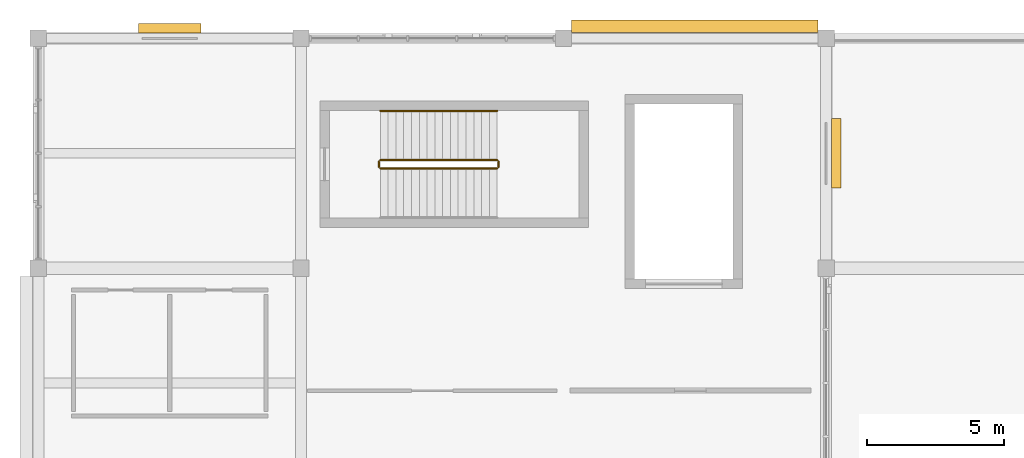
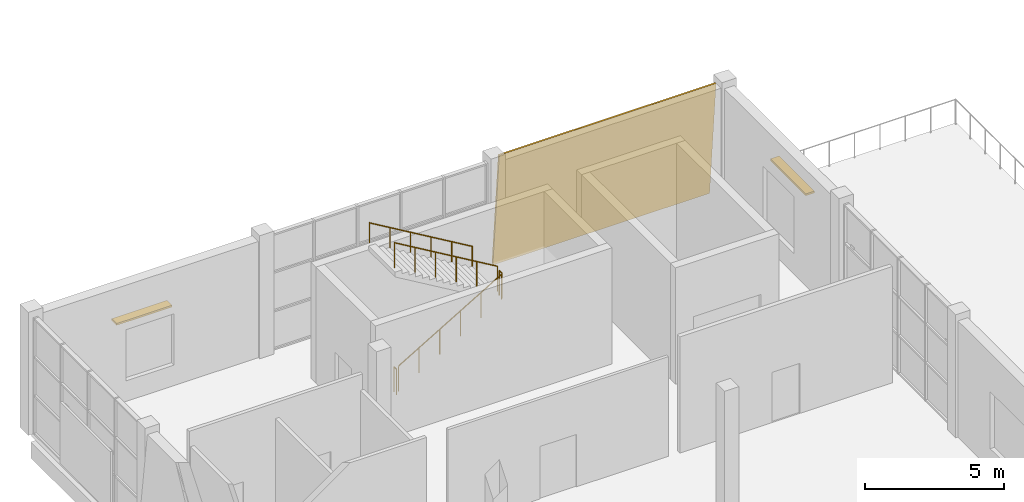
# One storey, part 62 of 72: 5 railings, 2 shading devices, 1 covering.
"""IFC4 building model written with IfcOpenShell, lengths in metres."""

from ifc_helpers import new_model, si_unit, direction, frame, origin, origin_2d, place, context, subcontext, project, spatial, polyline, rectangle, circle, outline, extrude, material, layer, layer_set, type_object, element, save


model = new_model("IFC4")

# Units and contexts
model_context = context("Model", 3, precision=1e-05, world=origin(), true_north=direction((0.0, 1.0)))
body_context = subcontext(model_context, "Body", "Model", "MODEL_VIEW")
ifc_project = project(units=[si_unit("LENGTHUNIT", "METRE"), si_unit("AREAUNIT", "SQUARE_METRE"), si_unit("VOLUMEUNIT", "CUBIC_METRE"), si_unit("PLANEANGLEUNIT", "RADIAN"), si_unit("MASSUNIT", "GRAM", prefix="KILO")], contexts=[model_context])

# Site, building, storey
site_placement = place(None, origin())
site = spatial("IfcSite", under=ifc_project, at=site_placement, CompositionType="ELEMENT")
building_placement = place(site_placement, origin())
building = spatial("IfcBuilding", under=site, at=building_placement, Name="Shalvenor Court Art Gallery", CompositionType="ELEMENT")
storey_placement = place(building_placement, frame((0.0, 0.0, 11.39990234375)))
storey = spatial("IfcBuildingStorey", under=building, at=storey_placement, Name="L02", CompositionType="ELEMENT", Elevation=11.39990234375)

# Covering
ifc_material_1 = material(Name="Honed Jerusalem limestone cladding", Category="masonry")
ifc_layer = layer(ifc_material_1, 0.06494140625, Name="Honed Jerusalem limestone cladding")
ifc_layer_set = layer_set([ifc_layer], Name="Honed Jerusalem limestone cladding")
covering_type = type_object("IfcCoveringType", Name="CLD-02", PredefinedType="CLADDING", material=ifc_layer_set)
covering_placement = place(storey_placement, frame((28.5, 123.07421875, 0.0), z_axis=(0.0, 0.0, 1.0), x_axis=(-1.0, 0.0, 0.0)))
element("IfcCovering", 1, at=covering_placement, inside=storey, type_object=covering_type, Name="L02 V5 Tapered Limestone Cladding 106", PredefinedType="CLADDING", context=body_context, shape_type="SweptSolid", body=[
    extrude(outline(polyline([(0.0, 0.0), (9.0, 0.0), (9.0, 5.12109375), (0.0, 5.12109375), (0.0, 0.0)])), frame((0.0, 0.0, 0.0), z_axis=(0.0, -0.995884398616, 0.090632580198), x_axis=(1.0, 0.0, 0.0)), (0.0, 0.090632580198, -0.995884398616), 0.080322265625),
])

# Railings
ifc_material_2 = material(Name="Painted steel post-and-rail guard", Category="steel")
railing_type_1 = type_object("IfcRailingType", Name="GR-02", PredefinedType="GUARDRAIL", material=ifc_material_2)
railing_1_placement = place(storey_placement, frame((12.5, 117.64990234375, 0.1689453125)))
element("IfcRailing", 2, at=railing_1_placement, inside=storey, type_object=railing_type_1, Name="L02 ST-06 Stair Guard 1", PredefinedType="GUARDRAIL", context=body_context, shape_type="SweptSolid", body=[
    extrude(circle(Radius=0.02392578125, at=origin_2d()), frame((0.0, 0.0, 1.09619140625), z_axis=(0.860470286479, 0.0, 0.509500624227), x_axis=(0.0, 1.0, 0.0)), (0.0, 0.0, 1.0), 4.968017578125),
    extrude(circle(Radius=0.02099609375, at=origin_2d()), origin(), (0.0, 0.0, 1.0), 1.072021484375),
    extrude(circle(Radius=0.02099609375, at=origin_2d()), frame((0.85498046875, 0.0, 0.50634765625)), (0.0, 0.0, 1.0), 1.072021484375),
    extrude(circle(Radius=0.02099609375, at=origin_2d()), frame((1.7099609375, 0.0, 1.012451171875)), (0.0, 0.0, 1.0), 1.072021484375),
    extrude(circle(Radius=0.02099609375, at=origin_2d()), frame((2.56494140625, 0.0, 1.518798828125)), (0.0, 0.0, 1.0), 1.072021484375),
    extrude(circle(Radius=0.02099609375, at=origin_2d()), frame((3.419921875, 0.0, 2.02490234375)), (0.0, 0.0, 1.0), 1.072021484375),
    extrude(circle(Radius=0.02099609375, at=origin_2d()), frame((4.27490234375, 0.0, 2.53125)), (0.0, 0.0, 1.0), 1.072021484375),
])
railing_2_placement = place(storey_placement, frame((16.824951171875, 117.699951171875, 2.7001953125)))
element("IfcRailing", 3, at=railing_2_placement, inside=storey, type_object=railing_type_1, Name="L02 ST-06 Stair Guard 2", PredefinedType="GUARDRAIL", context=body_context, shape_type="SweptSolid", body=[
    extrude(circle(Radius=0.02392578125, at=origin_2d()), frame((0.0, 0.0, 1.09619140625), z_axis=(0.0, 1.0, 0.0), x_axis=(-1.0, 0.0, 0.0)), (0.0, 0.0, 1.0), 0.199951171875),
    extrude(circle(Radius=0.02099609375, at=origin_2d()), origin(), (0.0, 0.0, 1.0), 1.072021484375),
    extrude(circle(Radius=0.02099609375, at=origin_2d()), frame((0.0, 0.199951171875, 0.0)), (0.0, 0.0, 1.0), 1.072021484375),
])
railing_3_placement = place(storey_placement, frame((16.77490234375, 117.949951171875, 2.868896484375)))
element("IfcRailing", 4, at=railing_3_placement, inside=storey, type_object=railing_type_1, Name="L02 ST-06 Stair Guard 3", PredefinedType="GUARDRAIL", context=body_context, shape_type="SweptSolid", body=[
    extrude(circle(Radius=0.02392578125, at=origin_2d()), frame((0.0, 0.0, 1.09619140625), z_axis=(-0.860470286479, 0.0, 0.509500624227), x_axis=(0.0, -1.0, 0.0)), (0.0, 0.0, 1.0), 4.968017578125),
    extrude(circle(Radius=0.02099609375, at=origin_2d()), origin(), (0.0, 0.0, 1.0), 1.072021484375),
    extrude(circle(Radius=0.02099609375, at=origin_2d()), frame((-0.85498046875, 0.0, 0.50634765625)), (0.0, 0.0, 1.0), 1.072021484375),
    extrude(circle(Radius=0.02099609375, at=origin_2d()), frame((-1.7099609375, 0.0, 1.012451171875)), (0.0, 0.0, 1.0), 1.072021484375),
    extrude(circle(Radius=0.02099609375, at=origin_2d()), frame((-2.56494140625, 0.0, 1.518798828125)), (0.0, 0.0, 1.0), 1.072021484375),
    extrude(circle(Radius=0.02099609375, at=origin_2d()), frame((-3.419921875, 0.0, 2.02490234375)), (0.0, 0.0, 1.0), 1.072021484375),
    extrude(circle(Radius=0.02099609375, at=origin_2d()), frame((-4.27490234375, 0.0, 2.53125)), (0.0, 0.0, 1.0), 1.072021484375),
])
railing_4_placement = place(storey_placement, frame((12.449951171875, 117.699951171875, 0.0)))
element("IfcRailing", 5, at=railing_4_placement, inside=storey, type_object=railing_type_1, Name="L02 ST-06 Stair Guard 4", PredefinedType="GUARDRAIL", context=body_context, shape_type="SweptSolid", body=[
    extrude(circle(Radius=0.02392578125, at=origin_2d()), frame((0.0, 0.0, 1.09619140625), z_axis=(0.0, 1.0, 0.0), x_axis=(-1.0, 0.0, 0.0)), (0.0, 0.0, 1.0), 0.199951171875),
    extrude(circle(Radius=0.02099609375, at=origin_2d()), origin(), (0.0, 0.0, 1.0), 1.072021484375),
    extrude(circle(Radius=0.02099609375, at=origin_2d()), frame((0.0, 0.199951171875, 0.0)), (0.0, 0.0, 1.0), 1.072021484375),
])
ifc_material_3 = material(Name="Brushed stainless steel handrail", Category="steel")
railing_type_2 = type_object("IfcRailingType", Name="HR-01", PredefinedType="HANDRAIL", material=ifc_material_3)
railing_5_placement = place(storey_placement, frame((16.77490234375, 119.75, 2.868896484375)))
element("IfcRailing", 6, at=railing_5_placement, inside=storey, type_object=railing_type_2, Name="L02 ST-06 Stair Handrail 2", PredefinedType="HANDRAIL", context=body_context, shape_type="SweptSolid", body=[
    extrude(circle(Radius=0.02392578125, at=origin_2d()), frame((0.0, 0.0, 0.8759765625), z_axis=(-0.860470286479, 0.0, 0.509500624227), x_axis=(0.0, -1.0, 0.0)), (0.0, 0.0, 1.0), 4.968017578125),
    extrude(circle(Radius=0.02099609375, at=origin_2d()), origin(), (0.0, 0.0, 1.0), 0.851806640625),
    extrude(circle(Radius=0.02099609375, at=origin_2d()), frame((-0.85498046875, 0.0, 0.50634765625)), (0.0, 0.0, 1.0), 0.851806640625),
    extrude(circle(Radius=0.02099609375, at=origin_2d()), frame((-1.7099609375, 0.0, 1.012451171875)), (0.0, 0.0, 1.0), 0.851806640625),
    extrude(circle(Radius=0.02099609375, at=origin_2d()), frame((-2.56494140625, 0.0, 1.518798828125)), (0.0, 0.0, 1.0), 0.851806640625),
    extrude(circle(Radius=0.02099609375, at=origin_2d()), frame((-3.419921875, 0.0, 2.02490234375)), (0.0, 0.0, 1.0), 0.851806640625),
    extrude(circle(Radius=0.02099609375, at=origin_2d()), frame((-4.27490234375, 0.0, 2.53125)), (0.0, 0.0, 1.0), 0.851806640625),
])

# Shading devices
ifc_material_4 = material(Name="Dark anodised bronze aluminium louvre", Category="aluminium")
shading_device_type = type_object("IfcShadingDeviceType", Name="SHD-01", PredefinedType="JALOUSIE", material=ifc_material_4)
shading_device_1_placement = place(storey_placement, frame((4.800048828125, 122.77001953125, 3.150146484375), z_axis=(0.0, 0.0, 1.0), x_axis=(1.0, 0.0, 0.0)))
element("IfcShadingDevice", 7, at=shading_device_1_placement, inside=storey, type_object=shading_device_type, Name="L02 Koushi Window Sunshade 60", PredefinedType="JALOUSIE", context=body_context, shape_type="SweptSolid", body=[
    extrude(rectangle(XDim=2.300048828125, YDim=0.360107421875, at=origin_2d()), origin(), (0.0, 0.0, 1.0), 0.080078125),
])
shading_device_2_placement = place(storey_placement, frame((29.169921875, 118.199951171875, 3.400146484375), z_axis=(0.0, 0.0, 1.0), x_axis=(0.0, -1.0, 0.0)))
element("IfcShadingDevice", 8, at=shading_device_2_placement, inside=storey, type_object=shading_device_type, Name="L02 Koushi Window Sunshade 61", PredefinedType="JALOUSIE", context=body_context, shape_type="SweptSolid", body=[
    extrude(rectangle(XDim=2.550048828125, YDim=0.360107421875, at=origin_2d()), origin(), (0.0, 0.0, 1.0), 0.080078125),
])

save(model, "model.ifc")
